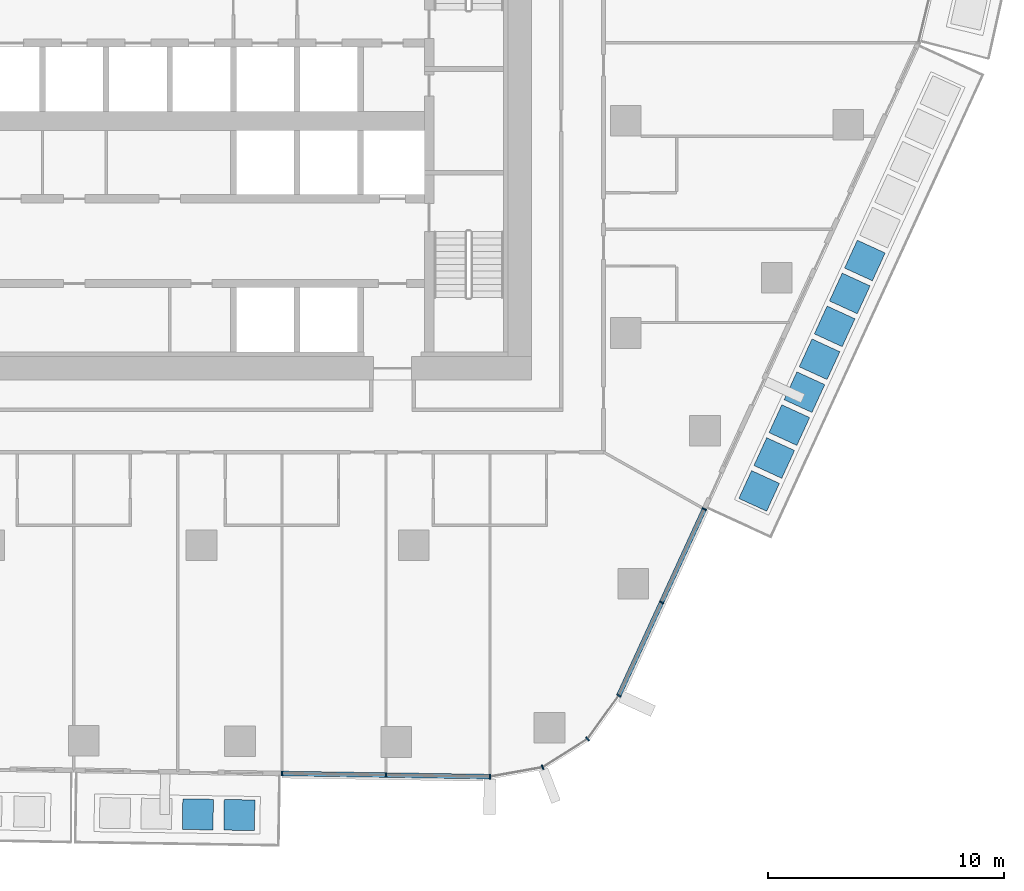
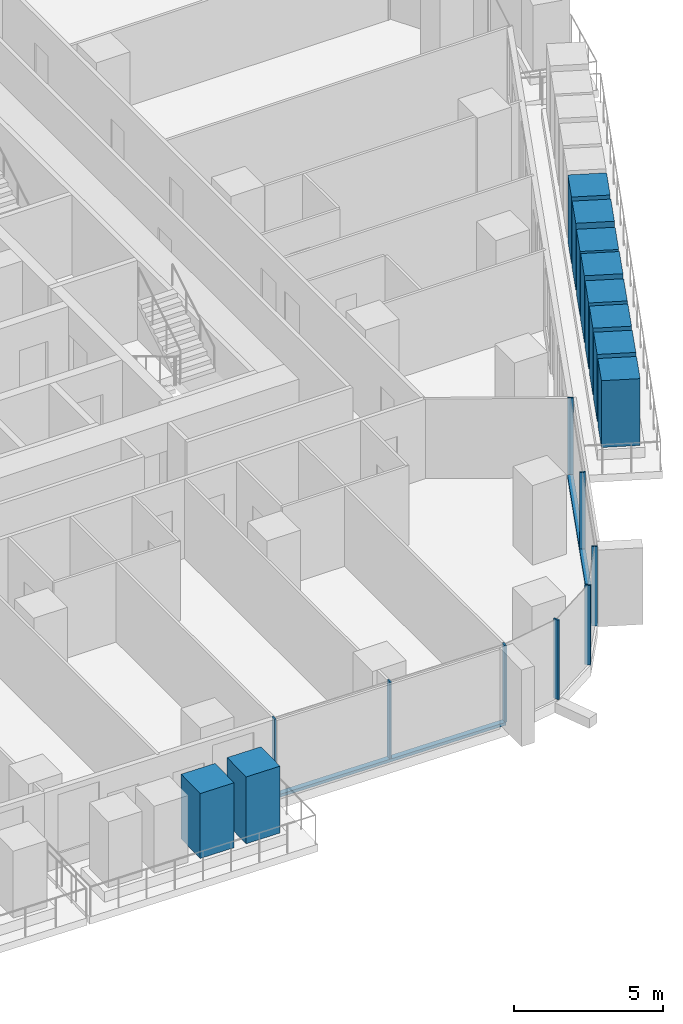
# One storey, part 4 of 24: 20 members, 3 elements without a shape of their own.
"""IFC4 building model written with IfcOpenShell, lengths in metres."""

from ifc_helpers import new_model, si_unit, direction, frame, origin, origin_2d, place, context, subcontext, project, spatial, rectangle, extrude, material, layer, layer_set, material_profile, profile_set, type_object, element, aggregate, save


model = new_model("IFC4")

# Units and contexts
model_context = context("Model", 3, precision=1e-05, world=origin(), true_north=direction((0.0, 1.0)))
body_context = subcontext(model_context, "Body", "Model", "MODEL_VIEW")
ifc_project = project(units=[si_unit("LENGTHUNIT", "METRE"), si_unit("AREAUNIT", "SQUARE_METRE"), si_unit("VOLUMEUNIT", "CUBIC_METRE"), si_unit("PLANEANGLEUNIT", "RADIAN"), si_unit("MASSUNIT", "GRAM", prefix="KILO")], contexts=[model_context])

# Site, building, storey
site_placement = place(None, origin())
site = spatial("IfcSite", under=ifc_project, at=site_placement, CompositionType="ELEMENT")
building_placement = place(site_placement, origin())
building = spatial("IfcBuilding", under=site, at=building_placement, Name="Dongbaek Canopy Tower", CompositionType="ELEMENT")
storey_placement = place(building_placement, frame((0.0, 0.0, 98.89990234375)))
storey = spatial("IfcBuildingStorey", under=building, at=storey_placement, Name="L20", CompositionType="ELEMENT", Elevation=98.89990234375)

# Curtain wall, members
ifc_material_1 = material(Name="Aluminium 6063-T6 pale anodised", Category="aluminium")
ifc_layer = layer(ifc_material_1, 0.199951171875)
ifc_layer_set = layer_set([ifc_layer], Name="CW-1 unitised tower curtain wall")
curtain_wall_type = type_object("IfcCurtainWallType", Name="CW-1 unitised tower curtain wall", PredefinedType="NOTDEFINED", material=ifc_layer_set)
curtain_wall_1_placement = place(storey_placement, origin())
curtain_wall_1 = element("IfcCurtainWall", 1, at=curtain_wall_1_placement, inside=storey, type_object=curtain_wall_type, Name="CW-1 curtain wall F4.1", PredefinedType="NOTDEFINED")
ifc_material_2 = material(Name="Aluminium 6063-T6 pale anodised", Category="aluminium")
ifc_material_profile_1 = material_profile(ifc_material_2, rectangle(XDim=0.199951171875, YDim=0.06005859375, at=origin_2d()), Name="CW-1 mullion 60 x 200")
ifc_profile_set_1 = profile_set([ifc_material_profile_1], Name="Aluminium 6063-T6 pale anodised")
member_type_1 = type_object("IfcMemberType", Name="CW-1 mullion 60 x 200", PredefinedType="MULLION", material=ifc_profile_set_1)
member_1_placement = place(storey_placement, frame((3.409912109375, -27.68505859375, 0.1201171875), z_axis=(0.0, 0.0, 1.0), x_axis=(-0.015412878639, -0.999881214531, 0.0)))
member_1 = element("IfcMember", 2, at=member_1_placement, type_object=member_type_1, Name="CW-1 mullion F4.1.1", PredefinedType="MULLION", context=body_context, shape_type="SweptSolid", body=[
    extrude(rectangle(XDim=0.199951171875, YDim=0.06005859375, at=origin_2d()), origin(), (0.0, 0.0, 1.0), 3.1298828125),
])
member_2_placement = place(storey_placement, frame((7.82666015625, -27.753173828125, 0.1201171875), z_axis=(0.0, 0.0, 1.0), x_axis=(-0.015412878639, -0.999881214531, 0.0)))
member_2 = element("IfcMember", 3, at=member_2_placement, type_object=member_type_1, Name="CW-1 mullion F4.1.2", PredefinedType="MULLION", context=body_context, shape_type="SweptSolid", body=[
    extrude(rectangle(XDim=0.199951171875, YDim=0.06005859375, at=origin_2d()), origin(), (0.0, 0.0, 1.0), 3.1298828125),
])
member_3_placement = place(storey_placement, frame((12.23388671875, -27.821044921875, 0.1201171875), z_axis=(0.0, 0.0, 1.0), x_axis=(-0.015412878639, -0.999881214531, 0.0)))
member_3 = element("IfcMember", 4, at=member_3_placement, type_object=member_type_1, Name="CW-1 mullion F4.1.3", PredefinedType="MULLION", context=body_context, shape_type="SweptSolid", body=[
    extrude(rectangle(XDim=0.199951171875, YDim=0.06005859375, at=origin_2d()), origin(), (0.0, 0.0, 1.0), 3.1298828125),
])

curtain_wall_2_placement = place(storey_placement, origin())
curtain_wall_2 = element("IfcCurtainWall", 5, at=curtain_wall_2_placement, inside=storey, type_object=curtain_wall_type, Name="CW-1 curtain wall K5.1", PredefinedType="NOTDEFINED")
member_4_placement = place(storey_placement, frame((14.466796875, -27.421142578125, 0.0), z_axis=(0.0, 0.0, 1.0), x_axis=(0.361518655107, -0.932364876006, 0.0)))
member_4 = element("IfcMember", 6, at=member_4_placement, type_object=member_type_1, Name="CW-1 mullion K5.1.2", PredefinedType="MULLION", context=body_context, shape_type="SweptSolid", body=[
    extrude(rectangle(XDim=0.199951171875, YDim=0.06005859375, at=origin_2d()), origin(), (0.0, 0.0, 1.0), 3.25),
])
member_5_placement = place(storey_placement, frame((16.377197265625, -26.216552734375, 0.0), z_axis=(0.0, 0.0, 1.0), x_axis=(0.685438598234, -0.728130433406, 0.0)))
member_5 = element("IfcMember", 7, at=member_5_placement, type_object=member_type_1, Name="CW-1 mullion K5.1.3", PredefinedType="MULLION", context=body_context, shape_type="SweptSolid", body=[
    extrude(rectangle(XDim=0.199951171875, YDim=0.06005859375, at=origin_2d()), origin(), (0.0, 0.0, 1.0), 3.25),
])
member_6_placement = place(storey_placement, frame((17.70068359375, -24.3740234375, 0.0), z_axis=(0.0, 0.0, 1.0), x_axis=(0.812169270301, -0.583421868273, 0.0)))
member_6 = element("IfcMember", 8, at=member_6_placement, type_object=member_type_1, Name="CW-1 mullion K5.1.4", PredefinedType="MULLION", context=body_context, shape_type="SweptSolid", body=[
    extrude(rectangle(XDim=0.199951171875, YDim=0.06005859375, at=origin_2d()), origin(), (0.0, 0.0, 1.0), 3.25),
])
aggregate(curtain_wall_2, [member_4, member_5, member_6])

curtain_wall_3_placement = place(storey_placement, origin())
curtain_wall_3 = element("IfcCurtainWall", 9, at=curtain_wall_3_placement, inside=storey, type_object=curtain_wall_type, Name="CW-1 curtain wall F5.1", PredefinedType="NOTDEFINED")
member_7_placement = place(storey_placement, frame((19.512939453125, -20.425537109375, 0.1201171875), z_axis=(0.0, 0.0, 1.0), x_axis=(0.908848678728, -0.417125975185, 0.0)))
member_7 = element("IfcMember", 10, at=member_7_placement, type_object=member_type_1, Name="CW-1 mullion F5.1.2", PredefinedType="MULLION", context=body_context, shape_type="SweptSolid", body=[
    extrude(rectangle(XDim=0.199951171875, YDim=0.06005859375, at=origin_2d()), origin(), (0.0, 0.0, 1.0), 3.1298828125),
])
member_8_placement = place(storey_placement, frame((21.329345703125, -16.468017578125, 0.1201171875), z_axis=(0.0, 0.0, 1.0), x_axis=(0.908848678728, -0.417125975185, 0.0)))
member_8 = element("IfcMember", 11, at=member_8_placement, type_object=member_type_1, Name="CW-1 mullion F5.1.3", PredefinedType="MULLION", context=body_context, shape_type="SweptSolid", body=[
    extrude(rectangle(XDim=0.199951171875, YDim=0.06005859375, at=origin_2d()), origin(), (0.0, 0.0, 1.0), 3.1298828125),
])

# Member
ifc_material_3 = material(Name="Aluminium 6063-T6 pale anodised", Category="aluminium")
ifc_material_profile_2 = material_profile(ifc_material_3, rectangle(XDim=0.199951171875, YDim=0.1201171875, at=origin_2d()), Name="CW-1 transom 120 x 200")
ifc_profile_set_2 = profile_set([ifc_material_profile_2], Name="Aluminium 6063-T6 pale anodised")
member_type_2 = type_object("IfcMemberType", Name="CW-1 transom 120 x 200", PredefinedType="USERDEFINED", material=ifc_profile_set_2)
member_9_placement = place(storey_placement, frame((3.409912109375, -27.68505859375, 0.06005859375), z_axis=(0.999881271591, -0.015409176556, 0.0), x_axis=(0.015409176556, 0.999881271591, 0.0)))
member_9 = element("IfcMember", 12, at=member_9_placement, type_object=member_type_2, Name="CW-1 transom F4.1.1", ObjectType="TRANSOM", PredefinedType="USERDEFINED", context=body_context, shape_type="SweptSolid", body=[
    extrude(rectangle(XDim=0.199951171875, YDim=0.1201171875, at=origin_2d()), origin(), (0.0, 0.0, 1.0), 8.824951171875),
])

aggregate(curtain_wall_1, [member_1, member_2, member_3, member_9])

member_10_placement = place(storey_placement, frame((17.70068359375, -24.3740234375, 0.06005859375), z_axis=(0.417136878422, 0.90884367449, 0.0), x_axis=(-0.90884367449, 0.417136878422, 0.0)))
member_10 = element("IfcMember", 13, at=member_10_placement, type_object=member_type_2, Name="CW-1 transom F5.1.1", ObjectType="TRANSOM", PredefinedType="USERDEFINED", context=body_context, shape_type="SweptSolid", body=[
    extrude(rectangle(XDim=0.199951171875, YDim=0.1201171875, at=origin_2d()), origin(), (0.0, 0.0, 1.0), 8.698974609375),
])

aggregate(curtain_wall_3, [member_7, member_8, member_10])

# Members
ifc_material_4 = material(Name="Concrete C40/50 planter mass with planting", Category="concrete")
ifc_material_profile_3 = material_profile(ifc_material_4, rectangle(XDim=1.300048828125, YDim=1.300048828125, at=origin_2d()), Name="Terrace PLANTER shrub mass 1300 x 1300")
ifc_profile_set_3 = profile_set([ifc_material_profile_3], Name="Concrete C40/50 planter mass with planting")
member_type_3 = type_object("IfcMemberType", Name="Terrace PLANTER shrub mass 1300 x 1300", PredefinedType="USERDEFINED", material=ifc_profile_set_3)
member_11_placement = place(storey_placement, frame((-0.1552734375, -29.420166015625, 0.420166015625), z_axis=(0.0, 0.0, 1.0), x_axis=(-0.015412878639, -0.999881214531, 0.0)))
element("IfcMember", 14, at=member_11_placement, inside=storey, type_object=member_type_3, Name="Planter shrubs L20 4.3", ObjectType="PLANTER", PredefinedType="USERDEFINED", context=body_context, shape_type="SweptSolid", body=[
    extrude(rectangle(XDim=1.300048828125, YDim=1.300048828125, at=origin_2d()), origin(), (0.0, 0.0, 1.0), 2.64990234375),
])
for number, where, z_axis, x_axis, name in (
    (15, (1.603271484375, -29.447265625, 0.420166015625), (0.0, 0.0, 1.0), (-0.015412878639, -0.999881214531, 0.0), "Planter shrubs L20 4.4"),
    (16, (23.65185546875, -15.69873046875, 0.420166015625), (0.0, 0.0, 1.0), (0.908848678728, -0.417125975185, 0.0), "Planter shrubs L20 5.1"),
    (17, (24.292724609375, -14.302490234375, 0.420166015625), (0.0, 0.0, 1.0), (0.908848678728, -0.417125975185, 0.0), "Planter shrubs L20 5.2"),
    (18, (24.93359375, -12.90625, 0.420166015625), (0.0, 0.0, 1.0), (0.908848678728, -0.417125975185, 0.0), "Planter shrubs L20 5.3"),
):
    element("IfcMember", number, at=place(storey_placement, frame(where, z_axis=z_axis, x_axis=x_axis)), inside=storey, type_object=member_type_3, Name=name, ObjectType="PLANTER", PredefinedType="USERDEFINED", context=body_context, shape_type="SweptSolid", body=[
        extrude(rectangle(XDim=1.300048828125, YDim=1.300048828125, at=origin_2d()), origin(), (0.0, 0.0, 1.0), 2.72998046875),
    ])
member_12_placement = place(storey_placement, frame((25.57421875, -11.510009765625, 0.420166015625), z_axis=(0.0, 0.0, 1.0), x_axis=(0.908848678728, -0.417125975185, 0.0)))
element("IfcMember", 19, at=member_12_placement, inside=storey, type_object=member_type_3, Name="Planter shrubs L20 5.4", ObjectType="PLANTER", PredefinedType="USERDEFINED", context=body_context, shape_type="SweptSolid", body=[
    extrude(rectangle(XDim=1.300048828125, YDim=1.300048828125, at=origin_2d()), origin(), (0.0, 0.0, 1.0), 2.68994140625),
])
member_13_placement = place(storey_placement, frame((26.215087890625, -10.11376953125, 0.420166015625), z_axis=(0.0, 0.0, 1.0), x_axis=(0.908848678728, -0.417125975185, 0.0)))
element("IfcMember", 20, at=member_13_placement, inside=storey, type_object=member_type_3, Name="Planter shrubs L20 5.5", ObjectType="PLANTER", PredefinedType="USERDEFINED", context=body_context, shape_type="SweptSolid", body=[
    extrude(rectangle(XDim=1.300048828125, YDim=1.300048828125, at=origin_2d()), origin(), (0.0, 0.0, 1.0), 2.72998046875),
])
member_14_placement = place(storey_placement, frame((26.85595703125, -8.717529296875, 0.420166015625), z_axis=(0.0, 0.0, 1.0), x_axis=(0.908848678728, -0.417125975185, 0.0)))
element("IfcMember", 21, at=member_14_placement, inside=storey, type_object=member_type_3, Name="Planter shrubs L20 5.6", ObjectType="PLANTER", PredefinedType="USERDEFINED", context=body_context, shape_type="SweptSolid", body=[
    extrude(rectangle(XDim=1.300048828125, YDim=1.300048828125, at=origin_2d()), origin(), (0.0, 0.0, 1.0), 2.64990234375),
])
for number, where, z_axis, x_axis, name in (
    (22, (27.496826171875, -7.3212890625, 0.420166015625), (0.0, 0.0, 1.0), (0.908848678728, -0.417125975185, 0.0), "Planter shrubs L20 5.7"),
    (23, (28.1376953125, -5.925048828125, 0.420166015625), (0.0, 0.0, 1.0), (0.908848678728, -0.417125975185, 0.0), "Planter shrubs L20 5.8"),
):
    element("IfcMember", number, at=place(storey_placement, frame(where, z_axis=z_axis, x_axis=x_axis)), inside=storey, type_object=member_type_3, Name=name, ObjectType="PLANTER", PredefinedType="USERDEFINED", context=body_context, shape_type="SweptSolid", body=[
        extrude(rectangle(XDim=1.300048828125, YDim=1.300048828125, at=origin_2d()), origin(), (0.0, 0.0, 1.0), 2.72998046875),
    ])

save(model, "model.ifc")
